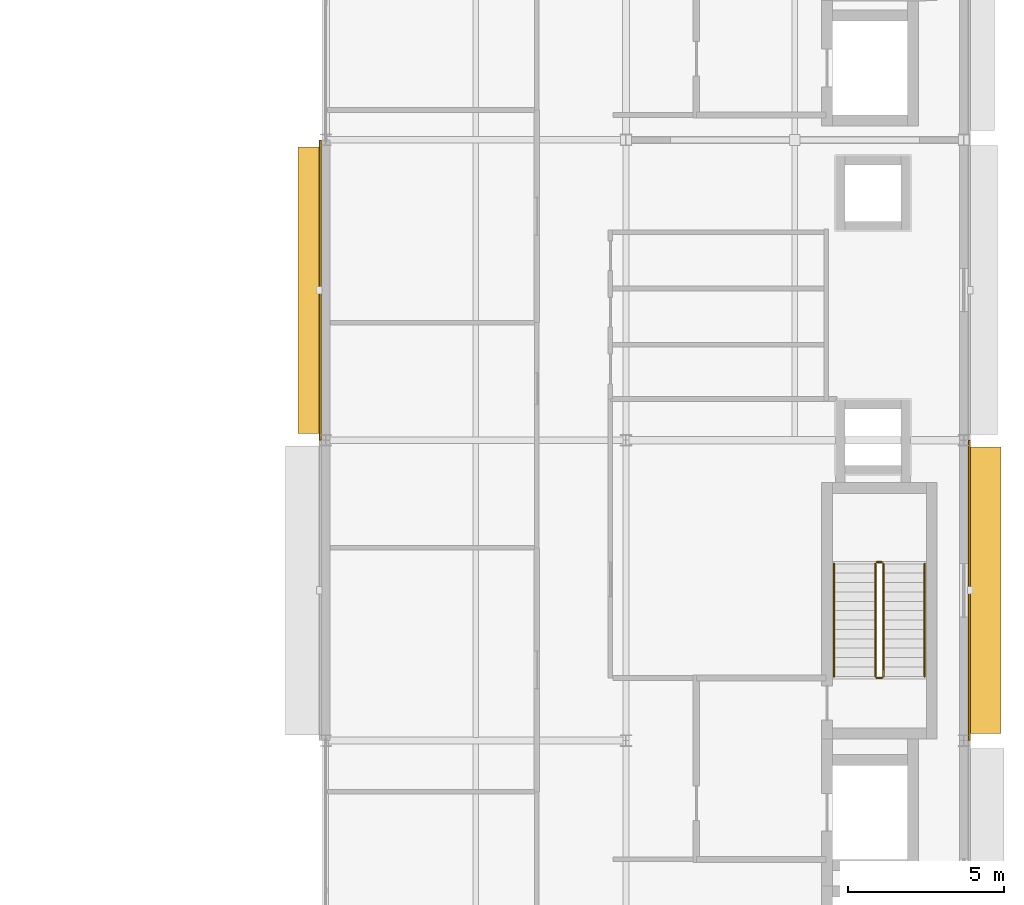
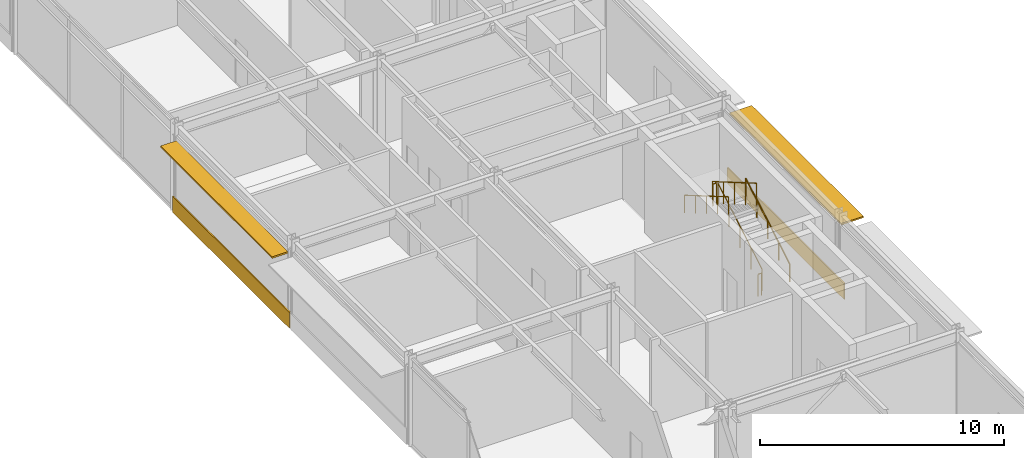
# One storey, part 47 of 50: 6 railings, 2 coverings, 2 shading devices.
"""IFC4 building model written with IfcOpenShell, lengths in metres."""

from ifc_helpers import new_model, si_unit, direction, frame, origin, origin_2d, place, context, subcontext, project, spatial, rectangle, circle, extrude, material, layer, layer_set, type_object, element, save


model = new_model("IFC4")

# Units and contexts
model_context = context("Model", 3, precision=1e-05, world=origin(), true_north=direction((0.0, 1.0)))
body_context = subcontext(model_context, "Body", "Model", "MODEL_VIEW")
ifc_project = project(units=[si_unit("LENGTHUNIT", "METRE"), si_unit("AREAUNIT", "SQUARE_METRE"), si_unit("VOLUMEUNIT", "CUBIC_METRE"), si_unit("PLANEANGLEUNIT", "RADIAN"), si_unit("MASSUNIT", "GRAM", prefix="KILO")], contexts=[model_context])

# Site, building, storey
site_placement = place(None, origin())
site = spatial("IfcSite", under=ifc_project, at=site_placement, CompositionType="ELEMENT")
building_placement = place(site_placement, origin())
building = spatial("IfcBuilding", under=site, at=building_placement, Name="Almandine Court Research Institute", CompositionType="ELEMENT")
storey_placement = place(building_placement, frame((0.0, 0.0, 23.449951171875)))
storey = spatial("IfcBuildingStorey", under=building, at=storey_placement, Name="L05", CompositionType="ELEMENT", Elevation=23.449951171875)

# Coverings
ifc_material_1 = material(Name="Extruded Cream-Ochre Seismic Terracotta Spandrel", Category="masonry")
ifc_layer_1 = layer(ifc_material_1, 0.054931640625)
ifc_layer_set_1 = layer_set([ifc_layer_1], Name="Extruded Cream-Ochre Seismic Terracotta Spandrel")
covering_type = type_object("IfcCoveringType", Name="Cov-CLAD-TERR", PredefinedType="CLADDING", material=ifc_layer_set_1)
for number, where, z_axis, x_axis, name in (
    (1, (153.428955078125, 39.60009765625, 0.02001953125), (0.0, 0.0, 1.0), (0.0, 1.0, 0.0), "L05 Facade Spandrel Cladding Band 188"),
    (2, (174.1708984375, 30.0, 0.02001953125), (0.0, 0.0, 1.0), (0.0, -1.0, 0.0), "L05 Facade Spandrel Cladding Band 196"),
):
    element("IfcCovering", number, at=place(storey_placement, frame(where, z_axis=z_axis, x_axis=x_axis)), inside=storey, type_object=covering_type, Name=name, PredefinedType="CLADDING", context=body_context, shape_type="SweptSolid", body=[
        extrude(rectangle(XDim=9.592041015625, YDim=0.054931640625, at=origin_2d()), origin(), (0.0, 0.0, 1.0), 0.800048828125),
    ])

# Railings
ifc_material_2 = material(Name="Powder-Coated Steel Stair and Atrium Balustrade", Category="steel")
railing_type_1 = type_object("IfcRailingType", Name="Rail-GUARD-INT", PredefinedType="BALUSTRADE", material=ifc_material_2)
railing_1_placement = place(storey_placement, frame((171.429931640625, 27.25, 0.175048828125)))
element("IfcRailing", 3, at=railing_1_placement, inside=storey, type_object=railing_type_1, Name="L05 ST-07 stair guard 1", PredefinedType="BALUSTRADE", context=body_context, shape_type="SweptSolid", body=[
    extrude(circle(Radius=0.02392578125, at=origin_2d()), frame((0.0, 0.0, 1.09619140625), z_axis=(0.0, 0.863774651768, 0.503878309678), x_axis=(-1.0, 0.0, 0.0)), (0.0, 0.0, 1.0), 4.16796875),
    extrude(circle(Radius=0.02099609375, at=origin_2d()), origin(), (0.0, 0.0, 1.0), 1.072021484375),
    extrude(circle(Radius=0.02099609375, at=origin_2d()), frame((0.0, 0.89990234375, 0.52490234375)), (0.0, 0.0, 1.0), 1.072021484375),
    extrude(circle(Radius=0.02099609375, at=origin_2d()), frame((0.0, 1.800048828125, 1.050048828125)), (0.0, 0.0, 1.0), 1.072021484375),
    extrude(circle(Radius=0.02099609375, at=origin_2d()), frame((0.0, 2.7001953125, 1.5751953125)), (0.0, 0.0, 1.0), 1.072021484375),
    extrude(circle(Radius=0.02099609375, at=origin_2d()), frame((0.0, 3.60009765625, 2.10009765625)), (0.0, 0.0, 1.0), 1.072021484375),
])
railing_2_placement = place(storey_placement, frame((171.3798828125, 30.89990234375, 2.275146484375)))
element("IfcRailing", 4, at=railing_2_placement, inside=storey, type_object=railing_type_1, Name="L05 ST-07 stair guard 2", PredefinedType="BALUSTRADE", context=body_context, shape_type="SweptSolid", body=[
    extrude(circle(Radius=0.02392578125, at=origin_2d()), frame((0.0, 0.0, 1.09619140625), z_axis=(-1.0, 0.0, 0.0), x_axis=(0.0, -1.0, 0.0)), (0.0, 0.0, 1.0), 0.159912109375),
    extrude(circle(Radius=0.02099609375, at=origin_2d()), origin(), (0.0, 0.0, 1.0), 1.072021484375),
    extrude(circle(Radius=0.02099609375, at=origin_2d()), frame((-0.159912109375, 0.0, 0.0)), (0.0, 0.0, 1.0), 1.072021484375),
])
railing_3_placement = place(storey_placement, frame((171.169921875, 30.85009765625, 2.449951171875)))
element("IfcRailing", 5, at=railing_3_placement, inside=storey, type_object=railing_type_1, Name="L05 ST-07 stair guard 3", PredefinedType="BALUSTRADE", context=body_context, shape_type="SweptSolid", body=[
    extrude(circle(Radius=0.02392578125, at=origin_2d()), frame((0.0, 0.0, 1.09619140625), z_axis=(0.0, -0.863774651768, 0.503878309678), x_axis=(1.0, 0.0, 0.0)), (0.0, 0.0, 1.0), 4.16796875),
    extrude(circle(Radius=0.02099609375, at=origin_2d()), origin(), (0.0, 0.0, 1.0), 1.072021484375),
    extrude(circle(Radius=0.02099609375, at=origin_2d()), frame((0.0, -0.89990234375, 0.52490234375)), (0.0, 0.0, 1.0), 1.072021484375),
    extrude(circle(Radius=0.02099609375, at=origin_2d()), frame((0.0, -1.800048828125, 1.050048828125)), (0.0, 0.0, 1.0), 1.072021484375),
    extrude(circle(Radius=0.02099609375, at=origin_2d()), frame((0.0, -2.7001953125, 1.5751953125)), (0.0, 0.0, 1.0), 1.072021484375),
    extrude(circle(Radius=0.02099609375, at=origin_2d()), frame((0.0, -3.60009765625, 2.10009765625)), (0.0, 0.0, 1.0), 1.072021484375),
])
railing_4_placement = place(storey_placement, frame((171.3798828125, 27.199951171875, 0.0)))
element("IfcRailing", 6, at=railing_4_placement, inside=storey, type_object=railing_type_1, Name="L05 ST-07 stair guard 4", PredefinedType="BALUSTRADE", context=body_context, shape_type="SweptSolid", body=[
    extrude(circle(Radius=0.02392578125, at=origin_2d()), frame((0.0, 0.0, 1.09619140625), z_axis=(-1.0, 0.0, 0.0), x_axis=(0.0, -1.0, 0.0)), (0.0, 0.0, 1.0), 0.159912109375),
    extrude(circle(Radius=0.02099609375, at=origin_2d()), origin(), (0.0, 0.0, 1.0), 1.072021484375),
    extrude(circle(Radius=0.02099609375, at=origin_2d()), frame((-0.159912109375, 0.0, 0.0)), (0.0, 0.0, 1.0), 1.072021484375),
])
ifc_material_3 = material(Name="Brushed Stainless Steel Wall Handrail", Category="steel")
railing_type_2 = type_object("IfcRailingType", Name="Rail-HAND-INT", PredefinedType="HANDRAIL", material=ifc_material_3)
railing_5_placement = place(storey_placement, frame((172.75, 27.25, 0.175048828125)))
element("IfcRailing", 7, at=railing_5_placement, inside=storey, type_object=railing_type_2, Name="L05 ST-07 stair handrail 1", PredefinedType="HANDRAIL", context=body_context, shape_type="SweptSolid", body=[
    extrude(circle(Radius=0.02392578125, at=origin_2d()), frame((0.0, 0.0, 0.8759765625), z_axis=(0.0, 0.863774651768, 0.503878309678), x_axis=(-1.0, 0.0, 0.0)), (0.0, 0.0, 1.0), 4.16796875),
    extrude(circle(Radius=0.02099609375, at=origin_2d()), origin(), (0.0, 0.0, 1.0), 0.851806640625),
    extrude(circle(Radius=0.02099609375, at=origin_2d()), frame((0.0, 0.89990234375, 0.52490234375)), (0.0, 0.0, 1.0), 0.851806640625),
    extrude(circle(Radius=0.02099609375, at=origin_2d()), frame((0.0, 1.800048828125, 1.050048828125)), (0.0, 0.0, 1.0), 0.851806640625),
    extrude(circle(Radius=0.02099609375, at=origin_2d()), frame((0.0, 2.7001953125, 1.5751953125)), (0.0, 0.0, 1.0), 0.851806640625),
    extrude(circle(Radius=0.02099609375, at=origin_2d()), frame((0.0, 3.60009765625, 2.10009765625)), (0.0, 0.0, 1.0), 0.851806640625),
])
railing_6_placement = place(storey_placement, frame((169.85009765625, 30.85009765625, 2.449951171875)))
element("IfcRailing", 8, at=railing_6_placement, inside=storey, type_object=railing_type_2, Name="L05 ST-07 stair handrail 2", PredefinedType="HANDRAIL", context=body_context, shape_type="SweptSolid", body=[
    extrude(circle(Radius=0.02392578125, at=origin_2d()), frame((0.0, 0.0, 0.8759765625), z_axis=(0.0, -0.863774651768, 0.503878309678), x_axis=(1.0, 0.0, 0.0)), (0.0, 0.0, 1.0), 4.16796875),
    extrude(circle(Radius=0.02099609375, at=origin_2d()), origin(), (0.0, 0.0, 1.0), 0.851806640625),
    extrude(circle(Radius=0.02099609375, at=origin_2d()), frame((0.0, -0.89990234375, 0.52490234375)), (0.0, 0.0, 1.0), 0.851806640625),
    extrude(circle(Radius=0.02099609375, at=origin_2d()), frame((0.0, -1.800048828125, 1.050048828125)), (0.0, 0.0, 1.0), 0.851806640625),
    extrude(circle(Radius=0.02099609375, at=origin_2d()), frame((0.0, -2.7001953125, 1.5751953125)), (0.0, 0.0, 1.0), 0.851806640625),
    extrude(circle(Radius=0.02099609375, at=origin_2d()), frame((0.0, -3.60009765625, 2.10009765625)), (0.0, 0.0, 1.0), 0.851806640625),
])

# Shading devices
ifc_material_4 = material(Name="Precast GFRC Chhajja Sunshade and Acoustic Louvre", Category="concrete")
ifc_layer_2 = layer(ifc_material_4, 0.080078125)
ifc_layer_set_2 = layer_set([ifc_layer_2], Name="Precast GFRC Chhajja Sunshade and Acoustic Louvre")
shading_device_type_1 = type_object("IfcShadingDeviceType", Name="Shd-SD-12", PredefinedType="AWNING", material=ifc_layer_set_2)
shading_device_1_placement = place(storey_placement, frame((174.659912109375, 30.0, 3.618896484375), z_axis=(0.0, 0.0, 1.0), x_axis=(0.0, -1.0, 0.0)))
element("IfcShadingDevice", 9, at=shading_device_1_placement, inside=storey, type_object=shading_device_type_1, Name="L05 Projecting Chhajja Sunshade 137", PredefinedType="AWNING", context=body_context, shape_type="SweptSolid", body=[
    extrude(rectangle(XDim=9.162109375, YDim=1.050048828125, at=origin_2d()), origin(), (0.0, 0.0, 1.0), 0.080078125),
])
ifc_layer_3 = layer(ifc_material_4, 0.080078125)
ifc_layer_set_3 = layer_set([ifc_layer_3], Name="Precast GFRC Chhajja Sunshade and Acoustic Louvre")
shading_device_type_2 = type_object("IfcShadingDeviceType", Name="Shd-SD-33", PredefinedType="AWNING", material=ifc_layer_set_3)
shading_device_2_placement = place(storey_placement, frame((153.090087890625, 39.60009765625, 3.6279296875), z_axis=(0.0, 0.0, 1.0), x_axis=(0.0, 1.0, 0.0)))
element("IfcShadingDevice", 10, at=shading_device_2_placement, inside=storey, type_object=shading_device_type_2, Name="L05 Projecting Chhajja Sunshade 129", PredefinedType="AWNING", context=body_context, shape_type="SweptSolid", body=[
    extrude(rectangle(XDim=9.162109375, YDim=0.75, at=origin_2d()), origin(), (0.0, 0.0, 1.0), 0.080078125),
])

save(model, "model.ifc")
